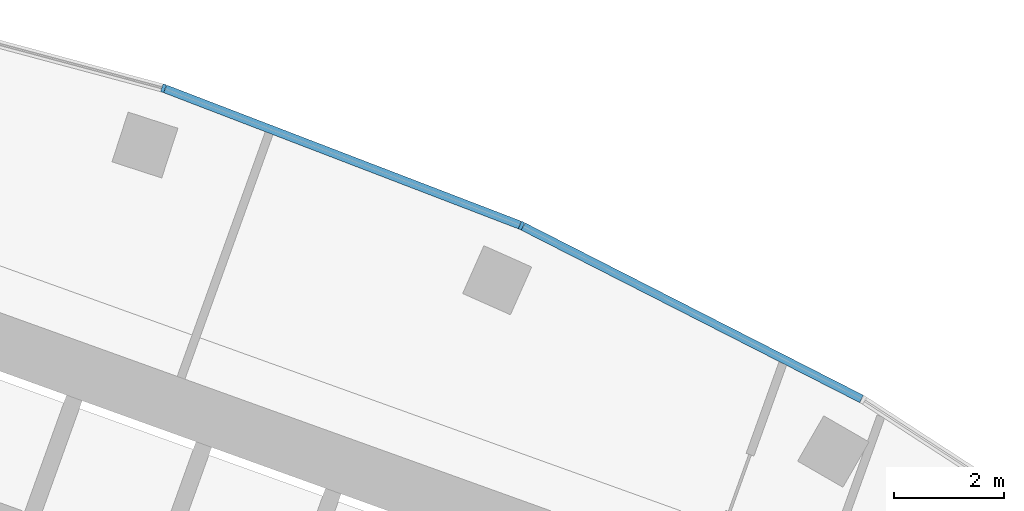
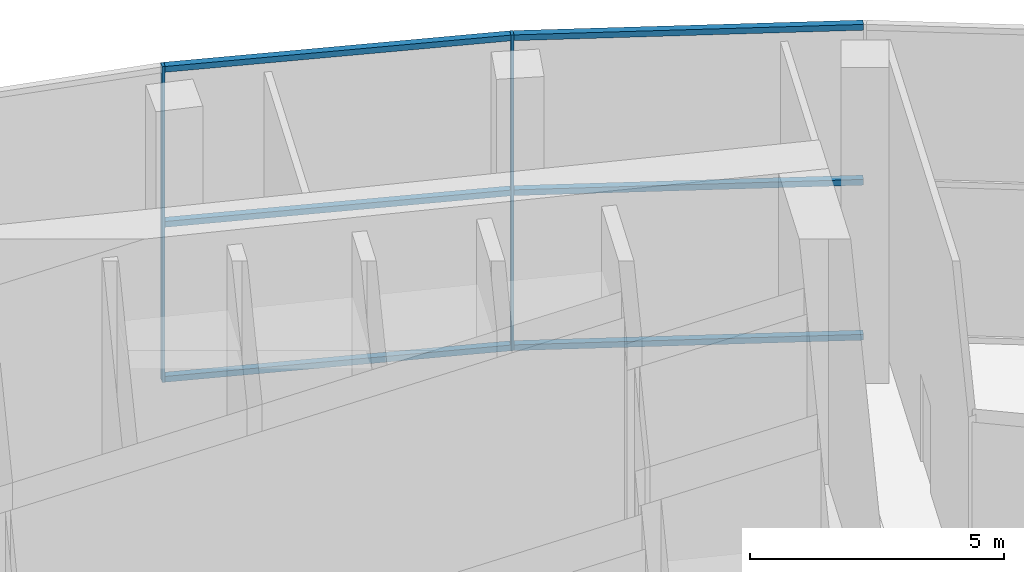
# One storey, part 11 of 26: 8 members, 1 element without a shape of its own.
"""IFC4 building model written with IfcOpenShell, lengths in metres."""

from ifc_helpers import new_model, si_unit, direction, frame, origin, origin_2d, place, context, subcontext, project, spatial, rectangle, extrude, material, layer, layer_set, material_profile, profile_set, type_object, element, aggregate, save


model = new_model("IFC4")

# Units and contexts
model_context = context("Model", 3, precision=1e-05, world=origin(), true_north=direction((0.0, 1.0)))
body_context = subcontext(model_context, "Body", "Model", "MODEL_VIEW")
ifc_project = project(units=[si_unit("LENGTHUNIT", "METRE"), si_unit("AREAUNIT", "SQUARE_METRE"), si_unit("VOLUMEUNIT", "CUBIC_METRE"), si_unit("PLANEANGLEUNIT", "RADIAN"), si_unit("MASSUNIT", "GRAM", prefix="KILO")], contexts=[model_context])

# Site, building, storey
site_placement = place(None, origin())
site = spatial("IfcSite", under=ifc_project, at=site_placement, CompositionType="ELEMENT")
building_placement = place(site_placement, origin())
building = spatial("IfcBuilding", under=site, at=building_placement, Name="Stone Belt Terrace Tower", CompositionType="ELEMENT")
storey_placement = place(building_placement, frame((0.0, 0.0, 250.39990234375)))
storey = spatial("IfcBuildingStorey", under=building, at=storey_placement, Name="L61", CompositionType="ELEMENT", Elevation=250.39990234375)

# Curtain wall, members
ifc_material = material(Name="Aluminium 6063-T6 anodised frame", Category="aluminium")
ifc_layer = layer(ifc_material, 0.14990234375)
ifc_layer_set = layer_set([ifc_layer], Name="CW-A unitised convex-face curtain wall")
curtain_wall_type = type_object("IfcCurtainWallType", Name="CW-A unitised convex-face curtain wall", PredefinedType="NOTDEFINED", material=ifc_layer_set)
curtain_wall_placement = place(storey_placement, origin())
curtain_wall = element("IfcCurtainWall", 1, at=curtain_wall_placement, inside=storey, type_object=curtain_wall_type, Name="CW-A convex face L61", PredefinedType="NOTDEFINED")
ifc_material_profile_1 = material_profile(ifc_material, rectangle(XDim=0.14990234375, YDim=0.06005859375, at=origin_2d()), Name="Aluminium 6063-T6 60x150")
ifc_profile_set_1 = profile_set([ifc_material_profile_1], Name="Aluminium 6063-T6 anodised frame")
member_type_1 = type_object("IfcMemberType", Name="CW-A mullion 60 x 150", PredefinedType="MULLION", material=ifc_profile_set_1)
member_1_placement = place(storey_placement, frame((27.07861328125, 60.8193359375, 0.0), z_axis=(0.0, 0.0, 1.0), x_axis=(-0.406736643076, -0.913545457643, 0.0)))
member_1 = element("IfcMember", 2, at=member_1_placement, type_object=member_type_1, Name="CW-A mullion 5", PredefinedType="MULLION", context=body_context, shape_type="SweptSolid", body=[
    extrude(rectangle(XDim=0.14990234375, YDim=0.06005859375, at=origin_2d()), origin(), (0.0, 0.0, 1.0), 7.60009765625),
])
member_2_placement = place(storey_placement, frame((20.57275390625, 63.316650390625, 0.0), z_axis=(0.0, 0.0, 1.0), x_axis=(-0.309016994375, -0.951056516295, 0.0)))
member_2 = element("IfcMember", 3, at=member_2_placement, type_object=member_type_1, Name="CW-A mullion 6", PredefinedType="MULLION", context=body_context, shape_type="SweptSolid", body=[
    extrude(rectangle(XDim=0.14990234375, YDim=0.06005859375, at=origin_2d()), origin(), (0.0, 0.0, 1.0), 7.60009765625),
])
ifc_material_profile_2 = material_profile(ifc_material, rectangle(XDim=0.14990234375, YDim=0.139892578125, at=origin_2d()), Name="Aluminium 6063-T6 150x140")
ifc_profile_set_2 = profile_set([ifc_material_profile_2], Name="Aluminium 6063-T6 anodised frame")
member_type_2 = type_object("IfcMemberType", Name="CW-A transom 140 x 150", PredefinedType="USERDEFINED", material=ifc_profile_set_2)
member_3_placement = place(storey_placement, frame((33.25732421875, 57.671142578125, 0.070068359375), z_axis=(-0.891012226264, 0.453979308613, 0.0), x_axis=(-0.453979308613, -0.891012226264, 0.0)))
member_3 = element("IfcMember", 4, at=member_3_placement, type_object=member_type_2, Name="CW-A transom 4.1", ObjectType="TRANSOM", PredefinedType="USERDEFINED", context=body_context, shape_type="SweptSolid", body=[
    extrude(rectangle(XDim=0.14990234375, YDim=0.139892578125, at=origin_2d()), origin(), (0.0, 0.0, 1.0), 6.90087890625),
])
member_4_placement = place(storey_placement, frame((33.25732421875, 57.671142578125, 3.800048828125), z_axis=(-0.891012226264, 0.453979308613, 0.0), x_axis=(-0.453979308613, -0.891012226264, 0.0)))
member_4 = element("IfcMember", 5, at=member_4_placement, type_object=member_type_2, Name="CW-A transom 4.2", ObjectType="TRANSOM", PredefinedType="USERDEFINED", context=body_context, shape_type="SweptSolid", body=[
    extrude(rectangle(XDim=0.14990234375, YDim=0.139892578125, at=origin_2d()), origin(), (0.0, 0.0, 1.0), 6.90087890625),
])
member_5_placement = place(storey_placement, frame((33.25732421875, 57.671142578125, 7.530029296875), z_axis=(-0.891012226264, 0.453979308613, 0.0), x_axis=(-0.453979308613, -0.891012226264, 0.0)))
member_5 = element("IfcMember", 6, at=member_5_placement, type_object=member_type_2, Name="CW-A transom 4.3", ObjectType="TRANSOM", PredefinedType="USERDEFINED", context=body_context, shape_type="SweptSolid", body=[
    extrude(rectangle(XDim=0.14990234375, YDim=0.139892578125, at=origin_2d()), origin(), (0.0, 0.0, 1.0), 6.90087890625),
])
member_6_placement = place(storey_placement, frame((27.046875, 60.83154296875, 0.070068359375), z_axis=(-0.933585210269, 0.358355487146, 0.0), x_axis=(-0.358355487146, -0.933585210269, 0.0)))
member_6 = element("IfcMember", 7, at=member_6_placement, type_object=member_type_2, Name="CW-A transom 5.1", ObjectType="TRANSOM", PredefinedType="USERDEFINED", context=body_context, shape_type="SweptSolid", body=[
    extrude(rectangle(XDim=0.14990234375, YDim=0.139892578125, at=origin_2d()), origin(), (0.0, 0.0, 1.0), 6.900634765625),
])
member_7_placement = place(storey_placement, frame((27.046875, 60.83154296875, 3.800048828125), z_axis=(-0.933585210269, 0.358355487146, 0.0), x_axis=(-0.358355487146, -0.933585210269, 0.0)))
member_7 = element("IfcMember", 8, at=member_7_placement, type_object=member_type_2, Name="CW-A transom 5.2", ObjectType="TRANSOM", PredefinedType="USERDEFINED", context=body_context, shape_type="SweptSolid", body=[
    extrude(rectangle(XDim=0.14990234375, YDim=0.139892578125, at=origin_2d()), origin(), (0.0, 0.0, 1.0), 6.900634765625),
])
member_8_placement = place(storey_placement, frame((27.046875, 60.83154296875, 7.530029296875), z_axis=(-0.933585210269, 0.358355487146, 0.0), x_axis=(-0.358355487146, -0.933585210269, 0.0)))
member_8 = element("IfcMember", 9, at=member_8_placement, type_object=member_type_2, Name="CW-A transom 5.3", ObjectType="TRANSOM", PredefinedType="USERDEFINED", context=body_context, shape_type="SweptSolid", body=[
    extrude(rectangle(XDim=0.14990234375, YDim=0.139892578125, at=origin_2d()), origin(), (0.0, 0.0, 1.0), 6.900634765625),
])
aggregate(curtain_wall, [member_1, member_2, member_3, member_4, member_5, member_6, member_7, member_8])

save(model, "model.ifc")
